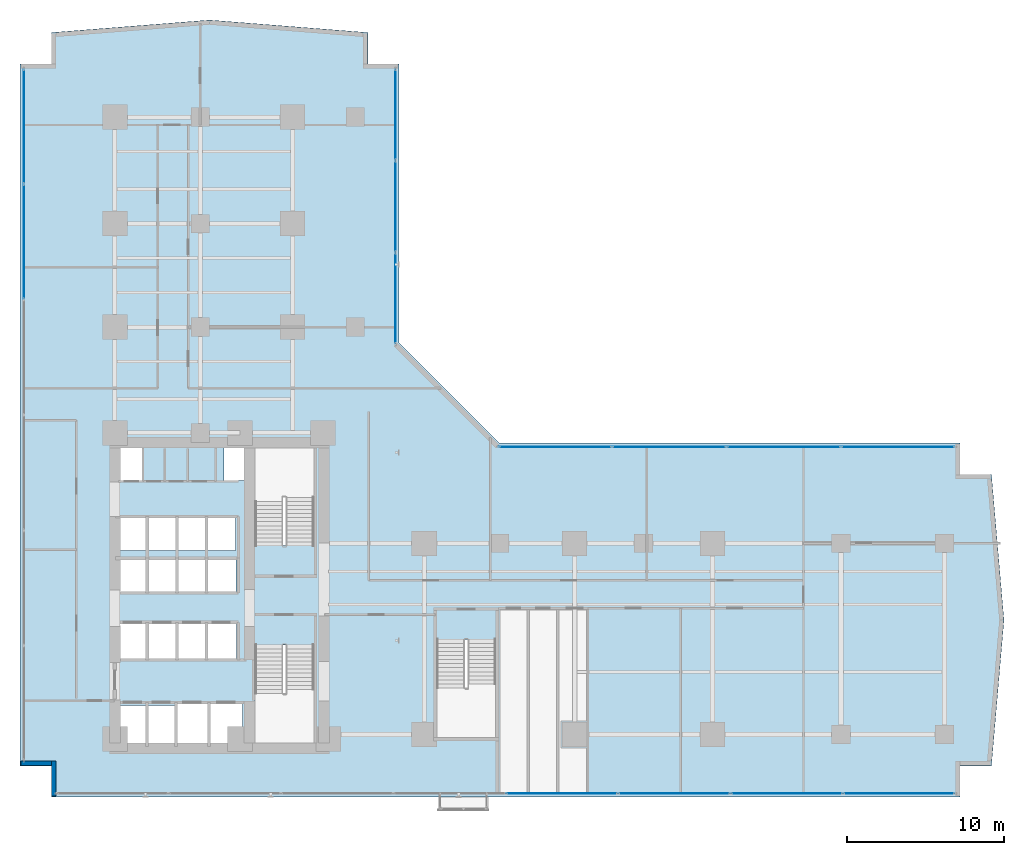
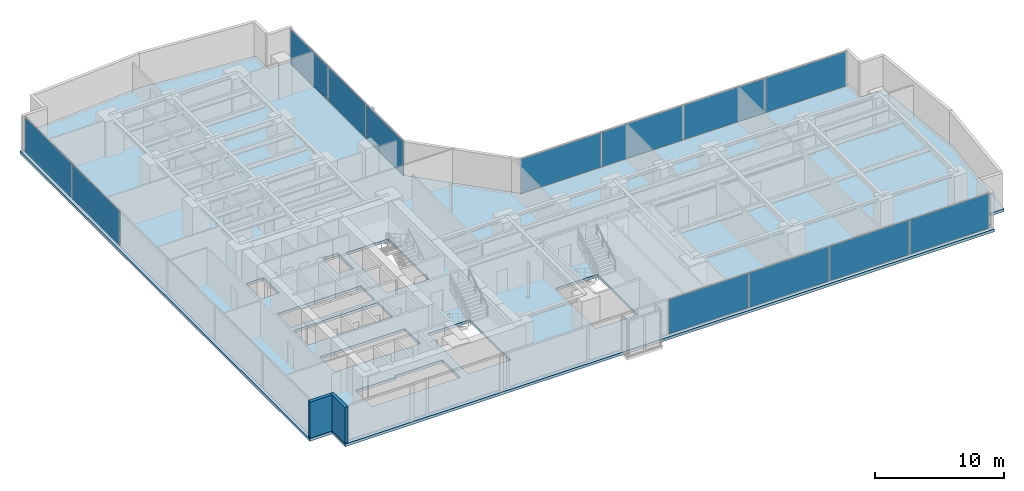
# One storey, part 21 of 28: 13 plates, 2 walls, 1 slab, 4 elements without a shape of their own.
"""IFC4 building model written with IfcOpenShell, lengths in metres."""

from ifc_helpers import new_model, si_unit, direction, frame, frame_2d, origin, origin_with_axes, origin_2d, place, context, subcontext, project, spatial, polyline, rectangle, outline, extrude, source, transform, mapped, material, layer, layer_set, type_object, element, aggregate, save


model = new_model("IFC4")

# Units and contexts
model_context = context("Model", 3, precision=1e-05, world=origin(), true_north=direction((0.0, 1.0)))
body_context = subcontext(model_context, "Body", "Model", "MODEL_VIEW")
ifc_project = project(units=[si_unit("LENGTHUNIT", "METRE"), si_unit("AREAUNIT", "SQUARE_METRE"), si_unit("VOLUMEUNIT", "CUBIC_METRE"), si_unit("PLANEANGLEUNIT", "RADIAN"), si_unit("MASSUNIT", "GRAM", prefix="KILO")], contexts=[model_context])

# Site, building, storey
site_placement = place(None, origin())
site = spatial("IfcSite", under=ifc_project, at=site_placement, CompositionType="ELEMENT")
building_placement = place(site_placement, origin())
building = spatial("IfcBuilding", under=site, at=building_placement, Name="Kolvaren Waterfront Exchange", CompositionType="ELEMENT")
storey_placement = place(building_placement, frame((0.0, 0.0, 79.0)))
storey = spatial("IfcBuildingStorey", under=building, at=storey_placement, Name="L20", CompositionType="ELEMENT", Elevation=79.0)

# Slab
ifc_material_1 = material(Name="Concrete C40/50", Category="concrete")
ifc_layer_1 = layer(ifc_material_1, 0.260009765625, Name="Concrete C40/50")
ifc_layer_set_1 = layer_set([ifc_layer_1], Name="Concrete C40/50")
slab_type = type_object("IfcSlabType", Name="STR-SLAB-260", PredefinedType="FLOOR", material=ifc_layer_set_1)
slab_placement = place(storey_placement, frame((0.0, 0.0, -0.260009765625)))
element("IfcSlab", 1, at=slab_placement, inside=storey, type_object=slab_type, Name="L20 structural floor slab", PredefinedType="FLOOR", context=body_context, shape_type="SweptSolid", body=[
    extrude(outline(polyline([(3.39990234375, 1.199951171875), (61.39990234375, 1.199951171875), (61.39990234375, 3.199951171875), (63.39990234375, 3.199951171875), (64.199951171875, 12.5), (63.39990234375, 21.800048828125), (61.39990234375, 21.800048828125), (61.39990234375, 23.800048828125), (32.0, 23.800048828125), (25.60009765625, 30.199951171875), (25.60009765625, 48.0), (23.60009765625, 48.0), (23.60009765625, 50.0), (13.5, 50.800048828125), (3.39990234375, 50.0), (3.39990234375, 48.0), (1.39990234375, 48.0), (1.39990234375, 3.199951171875), (3.39990234375, 3.199951171875), (3.39990234375, 1.199951171875)]), holes=[polyline([(11.320068359375, 7.260009765625), (15.610107421875, 7.260009765625), (15.610107421875, 4.5400390625), (7.719970703125, 4.5400390625), (7.719970703125, 7.06005859375), (11.320068359375, 7.06005859375), (11.320068359375, 7.260009765625)]), polyline([(20.159912109375, 4.64990234375), (16.39990234375, 4.64990234375), (16.39990234375, 10.89990234375), (20.159912109375, 10.89990234375), (20.159912109375, 4.64990234375)]), polyline([(31.760009765625, 5.0), (28.0, 5.0), (28.0, 11.25), (31.760009765625, 11.25), (31.760009765625, 5.0)]), polyline([(15.2099609375, 10.0400390625), (7.6201171875, 10.0400390625), (7.6201171875, 12.360107421875), (15.2099609375, 12.360107421875), (15.2099609375, 10.0400390625)]), polyline([(7.64501953125, 16.4599609375), (15.18505859375, 16.4599609375), (15.18505859375, 14.239990234375), (7.64501953125, 14.239990234375), (7.64501953125, 16.4599609375)]), polyline([(15.159912109375, 16.93994140625), (7.669921875, 16.93994140625), (7.669921875, 19.06005859375), (15.159912109375, 19.06005859375), (15.159912109375, 16.93994140625)]), polyline([(16.39990234375, 23.5), (20.159912109375, 23.5), (20.159912109375, 17.25), (16.39990234375, 17.25), (16.39990234375, 23.5)]), polyline([(7.60009765625, 23.780029296875), (9.179931640625, 23.780029296875), (9.179931640625, 21.419921875), (7.60009765625, 21.419921875), (7.60009765625, 23.780029296875)]), polyline([(15.800048828125, 23.780029296875), (15.800048828125, 21.419921875), (14.419921875, 21.419921875), (14.419921875, 23.780029296875), (15.800048828125, 23.780029296875)])]), origin(), (0.0, 0.0, 1.0), 0.260009765625),
])

# Curtain wall, plates
ifc_material_2 = material(Name="Anodised bronze aluminium 6063-T6", Category="aluminium")
ifc_layer_2 = layer(ifc_material_2, 0.219970703125, Name="Anodised bronze aluminium 6063-T6")
ifc_layer_set_2 = layer_set([ifc_layer_2], Name="Anodised bronze aluminium 6063-T6")
curtain_wall_type_1 = type_object("IfcCurtainWallType", Name="ARC-CW-SYS1", PredefinedType="USERDEFINED", material=ifc_layer_set_2)
curtain_wall_1_placement = place(storey_placement, origin())
curtain_wall_1 = element("IfcCurtainWall", 2, at=curtain_wall_1_placement, inside=storey, type_object=curtain_wall_type_1, Name="L20 stick curtain wall CW1 (CW-L20-S)", ObjectType="STICK CURTAIN WALL", PredefinedType="USERDEFINED")
ifc_material_3 = material(Name="Bronze solar control vision glass", Category="aluminium")
ifc_layer_3 = layer(ifc_material_3, 0.028076171875, Name="Bronze solar control vision glass")
ifc_layer_set_3 = layer_set([ifc_layer_3], Name="Bronze solar control vision glass")
plate_type_1 = type_object("IfcPlateType", Name="ARC-CWP-28", PredefinedType="CURTAIN_PANEL", material=ifc_layer_set_3)
shared_shape_1 = source(origin_with_axes(), body_context, "Body", "SweptSolid", [
    extrude(rectangle(XDim=7.054931640625, YDim=0.028076171875, at=origin_2d()), origin(), (0.0, 0.0, 1.0), 3.27001953125),
])
plate_1_placement = place(storey_placement, frame((57.492431640625, 1.43994140625, 0.074951171875), z_axis=(0.0, 0.0, 1.0), x_axis=(1.0, 0.0, 0.0)))
plate_1 = element("IfcPlate", 3, at=plate_1_placement, type_object=plate_type_1, Name="CW1 panel 8.1", PredefinedType="CURTAIN_PANEL", context=body_context, shape_type="MappedRepresentation", body=[
    mapped(shared_shape_1, transform((0.0, 0.0, 0.0), x_axis=(1.0, 0.0, 0.0), y_axis=(0.0, 1.0, 0.0), z_axis=(0.0, 0.0, 1.0), scale=1.0)),
])
shared_shape_2 = source(origin_with_axes(), body_context, "Body", "SweptSolid", [
    extrude(rectangle(XDim=7.094970703125, YDim=0.028076171875, at=origin_2d()), origin(), (0.0, 0.0, 1.0), 3.27001953125),
])
plate_2_placement = place(storey_placement, frame((35.987548828125, 1.43994140625, 0.074951171875), z_axis=(0.0, 0.0, 1.0), x_axis=(1.0, 0.0, 0.0)))
plate_2 = element("IfcPlate", 4, at=plate_2_placement, type_object=plate_type_1, Name="CW1 panel 5.1", PredefinedType="CURTAIN_PANEL", context=body_context, shape_type="MappedRepresentation", body=[
    mapped(shared_shape_2, transform((0.0, 0.0, 0.0), x_axis=(1.0, 0.0, 0.0), y_axis=(0.0, 1.0, 0.0), z_axis=(0.0, 0.0, 1.0), scale=1.0)),
])
plate_3_placement = place(storey_placement, frame((43.16259765625, 1.43994140625, 0.074951171875), z_axis=(0.0, 0.0, 1.0), x_axis=(1.0, 0.0, 0.0)))
plate_3 = element("IfcPlate", 5, at=plate_3_placement, type_object=plate_type_1, Name="CW1 panel 6.1", PredefinedType="CURTAIN_PANEL", context=body_context, shape_type="MappedRepresentation", body=[
    mapped(shared_shape_2, transform((0.0, 0.0, 0.0), x_axis=(1.0, 0.0, 0.0), y_axis=(0.0, 1.0, 0.0), z_axis=(0.0, 0.0, 1.0), scale=1.0)),
])
plate_4_placement = place(storey_placement, frame((50.33740234375, 1.43994140625, 0.074951171875), z_axis=(0.0, 0.0, 1.0), x_axis=(1.0, 0.0, 0.0)))
plate_4 = element("IfcPlate", 6, at=plate_4_placement, type_object=plate_type_1, Name="CW1 panel 7.1", PredefinedType="CURTAIN_PANEL", context=body_context, shape_type="MappedRepresentation", body=[
    mapped(shared_shape_2, transform((0.0, 0.0, 0.0), x_axis=(1.0, 0.0, 0.0), y_axis=(0.0, 1.0, 0.0), z_axis=(0.0, 0.0, 1.0), scale=1.0)),
])
aggregate(curtain_wall_1, [plate_2, plate_3, plate_4, plate_1])

ifc_material_4 = material(Name="Anodised aluminium 6063-T6", Category="aluminium")
ifc_layer_4 = layer(ifc_material_4, 0.219970703125, Name="Anodised aluminium 6063-T6")
ifc_layer_set_4 = layer_set([ifc_layer_4], Name="Anodised aluminium 6063-T6")
curtain_wall_type_2 = type_object("IfcCurtainWallType", Name="ARC-CW-SYS2", PredefinedType="USERDEFINED", material=ifc_layer_set_4)
curtain_wall_2_placement = place(storey_placement, origin())
curtain_wall_2 = element("IfcCurtainWall", 7, at=curtain_wall_2_placement, inside=storey, type_object=curtain_wall_type_2, Name="L20 stick curtain wall CW2 (CW-L20-W)", ObjectType="STICK CURTAIN WALL", PredefinedType="USERDEFINED")
ifc_material_5 = material(Name="Acoustic laminated vision glass", Category="glass")
ifc_layer_5 = layer(ifc_material_5, 0.031982421875, Name="Acoustic laminated vision glass")
ifc_layer_set_5 = layer_set([ifc_layer_5], Name="Acoustic laminated vision glass")
plate_type_2 = type_object("IfcPlateType", Name="ARC-CWP-32", PredefinedType="CURTAIN_PANEL", material=ifc_layer_set_5)
shared_shape_3 = source(origin_with_axes(), body_context, "Body", "SweptSolid", [
    extrude(rectangle(XDim=7.24658203125, YDim=0.031982421875, at=origin_2d()), origin(), (0.0, 0.0, 1.0), 3.27001953125),
])
plate_5_placement = place(storey_placement, frame((1.639892578125, 43.99658203125, 0.074951171875), z_axis=(0.0, 0.0, 1.0), x_axis=(0.0, 1.0, 0.0)))
plate_5 = element("IfcPlate", 8, at=plate_5_placement, type_object=plate_type_2, Name="CW2 panel 6.1", PredefinedType="CURTAIN_PANEL", context=body_context, shape_type="MappedRepresentation", body=[
    mapped(shared_shape_3, transform((0.0, 0.0, 0.0), x_axis=(1.0, 0.0, 0.0), y_axis=(0.0, 1.0, 0.0), z_axis=(0.0, 0.0, 1.0), scale=1.0)),
])
shared_shape_4 = source(origin_with_axes(), body_context, "Body", "SweptSolid", [
    extrude(rectangle(XDim=7.28662109375, YDim=0.031982421875, at=origin_2d()), origin(), (0.0, 0.0, 1.0), 3.27001953125),
])
plate_6_placement = place(storey_placement, frame((1.639892578125, 36.64990234375, 0.074951171875), z_axis=(0.0, 0.0, 1.0), x_axis=(0.0, 1.0, 0.0)))
plate_6 = element("IfcPlate", 9, at=plate_6_placement, type_object=plate_type_2, Name="CW2 panel 5.1", PredefinedType="CURTAIN_PANEL", context=body_context, shape_type="MappedRepresentation", body=[
    mapped(shared_shape_4, transform((0.0, 0.0, 0.0), x_axis=(1.0, 0.0, 0.0), y_axis=(0.0, 1.0, 0.0), z_axis=(0.0, 0.0, 1.0), scale=1.0)),
])
aggregate(curtain_wall_2, [plate_6, plate_5])

curtain_wall_3_placement = place(storey_placement, origin())
curtain_wall_3 = element("IfcCurtainWall", 10, at=curtain_wall_3_placement, inside=storey, type_object=curtain_wall_type_1, Name="L20 stick curtain wall CW1 (CW-L20-NE)", ObjectType="STICK CURTAIN WALL", PredefinedType="USERDEFINED")
shared_shape_5 = source(origin_with_axes(), body_context, "Body", "SweptSolid", [
    extrude(rectangle(XDim=5.75, YDim=0.028076171875, at=origin_2d()), origin(), (0.0, 0.0, 1.0), 3.27001953125),
])
plate_7_placement = place(storey_placement, frame((25.360107421875, 33.044921875, 0.074951171875), z_axis=(0.0, 0.0, 1.0), x_axis=(0.0, 1.0, 0.0)))
plate_7 = element("IfcPlate", 11, at=plate_7_placement, type_object=plate_type_1, Name="CW1 panel 1.1", PredefinedType="CURTAIN_PANEL", context=body_context, shape_type="MappedRepresentation", body=[
    mapped(shared_shape_5, transform((0.0, 0.0, 0.0), x_axis=(1.0, 0.0, 0.0), y_axis=(0.0, 1.0, 0.0), z_axis=(0.0, 0.0, 1.0), scale=1.0)),
])
plate_8_placement = place(storey_placement, frame((25.360107421875, 44.7451171875, 0.074951171875), z_axis=(0.0, 0.0, 1.0), x_axis=(0.0, 1.0, 0.0)))
plate_8 = element("IfcPlate", 12, at=plate_8_placement, type_object=plate_type_1, Name="CW1 panel 3.1", PredefinedType="CURTAIN_PANEL", context=body_context, shape_type="MappedRepresentation", body=[
    mapped(shared_shape_5, transform((0.0, 0.0, 0.0), x_axis=(1.0, 0.0, 0.0), y_axis=(0.0, 1.0, 0.0), z_axis=(0.0, 0.0, 1.0), scale=1.0)),
])
shared_shape_6 = source(origin_with_axes(), body_context, "Body", "SweptSolid", [
    extrude(rectangle(XDim=5.7900390625, YDim=0.028076171875, at=origin_2d()), origin(), (0.0, 0.0, 1.0), 3.27001953125),
])
plate_9_placement = place(storey_placement, frame((25.360107421875, 38.89501953125, 0.074951171875), z_axis=(0.0, 0.0, 1.0), x_axis=(0.0, 1.0, 0.0)))
plate_9 = element("IfcPlate", 13, at=plate_9_placement, type_object=plate_type_1, Name="CW1 panel 2.1", PredefinedType="CURTAIN_PANEL", context=body_context, shape_type="MappedRepresentation", body=[
    mapped(shared_shape_6, transform((0.0, 0.0, 0.0), x_axis=(1.0, 0.0, 0.0), y_axis=(0.0, 1.0, 0.0), z_axis=(0.0, 0.0, 1.0), scale=1.0)),
])
aggregate(curtain_wall_3, [plate_7, plate_9, plate_8])

curtain_wall_4_placement = place(storey_placement, origin())
curtain_wall_4 = element("IfcCurtainWall", 14, at=curtain_wall_4_placement, inside=storey, type_object=curtain_wall_type_1, Name="L20 stick curtain wall CW1 (CW-L20-EN)", ObjectType="STICK CURTAIN WALL", PredefinedType="USERDEFINED")
shared_shape_7 = source(origin_with_axes(), body_context, "Body", "SweptSolid", [
    extrude(rectangle(XDim=7.1826171875, YDim=0.028076171875, at=origin_2d()), origin(), (0.0, 0.0, 1.0), 3.27001953125),
])
plate_10_placement = place(storey_placement, frame((35.561279296875, 23.56005859375, 0.074951171875), z_axis=(0.0, 0.0, 1.0), x_axis=(1.0, 0.0, 0.0)))
plate_10 = element("IfcPlate", 15, at=plate_10_placement, type_object=plate_type_1, Name="CW1 panel 1.1", PredefinedType="CURTAIN_PANEL", context=body_context, shape_type="MappedRepresentation", body=[
    mapped(shared_shape_7, transform((0.0, 0.0, 0.0), x_axis=(1.0, 0.0, 0.0), y_axis=(0.0, 1.0, 0.0), z_axis=(0.0, 0.0, 1.0), scale=1.0)),
])
plate_11_placement = place(storey_placement, frame((57.4287109375, 23.56005859375, 0.074951171875), z_axis=(0.0, 0.0, 1.0), x_axis=(1.0, 0.0, 0.0)))
plate_11 = element("IfcPlate", 16, at=plate_11_placement, type_object=plate_type_1, Name="CW1 panel 4.1", PredefinedType="CURTAIN_PANEL", context=body_context, shape_type="MappedRepresentation", body=[
    mapped(shared_shape_7, transform((0.0, 0.0, 0.0), x_axis=(1.0, 0.0, 0.0), y_axis=(0.0, 1.0, 0.0), z_axis=(0.0, 0.0, 1.0), scale=1.0)),
])
shared_shape_8 = source(origin_with_axes(), body_context, "Body", "SweptSolid", [
    extrude(rectangle(XDim=7.222412109375, YDim=0.028076171875, at=origin_2d()), origin(), (0.0, 0.0, 1.0), 3.27001953125),
])
plate_12_placement = place(storey_placement, frame((42.84375, 23.56005859375, 0.074951171875), z_axis=(0.0, 0.0, 1.0), x_axis=(1.0, 0.0, 0.0)))
plate_12 = element("IfcPlate", 17, at=plate_12_placement, type_object=plate_type_1, Name="CW1 panel 2.1", PredefinedType="CURTAIN_PANEL", context=body_context, shape_type="MappedRepresentation", body=[
    mapped(shared_shape_8, transform((0.0, 0.0, 0.0), x_axis=(1.0, 0.0, 0.0), y_axis=(0.0, 1.0, 0.0), z_axis=(0.0, 0.0, 1.0), scale=1.0)),
])
plate_13_placement = place(storey_placement, frame((50.146240234375, 23.56005859375, 0.074951171875), z_axis=(0.0, 0.0, 1.0), x_axis=(1.0, 0.0, 0.0)))
plate_13 = element("IfcPlate", 18, at=plate_13_placement, type_object=plate_type_1, Name="CW1 panel 3.1", PredefinedType="CURTAIN_PANEL", context=body_context, shape_type="MappedRepresentation", body=[
    mapped(shared_shape_8, transform((0.0, 0.0, 0.0), x_axis=(1.0, 0.0, 0.0), y_axis=(0.0, 1.0, 0.0), z_axis=(0.0, 0.0, 1.0), scale=1.0)),
])
aggregate(curtain_wall_4, [plate_10, plate_12, plate_13, plate_11])

# Walls
ifc_material_6 = material(Name="Precast concrete C40/50", Category="concrete")
ifc_layer_6 = layer(ifc_material_6, 0.280029296875, Name="Precast concrete C40/50")
ifc_layer_set_6 = layer_set([ifc_layer_6], Name="Precast concrete C40/50")
wall_type = type_object("IfcWallType", Name="ARC-EXT-TERR-280", PredefinedType="SOLIDWALL", material=ifc_layer_set_6)
wall_1_placement = place(storey_placement, frame((3.56005859375, 1.260009765625, 0.0), z_axis=(0.0, 0.0, 1.0), x_axis=(0.0, 1.0, 0.0)))
element("IfcWall", 19, at=wall_1_placement, inside=storey, type_object=wall_type, Name="L20 notched corner spandrel pier SW-A", PredefinedType="SOLIDWALL", context=body_context, shape_type="SweptSolid", body=[
    extrude(rectangle(XDim=2.239990234375, YDim=0.280029296875, at=frame_2d((1.1201171875, 0.0))), origin(), (0.0, 0.0, 1.0), 3.419921875),
])
wall_2_placement = place(storey_placement, frame((1.4599609375, 3.360107421875, 0.0), z_axis=(0.0, 0.0, 1.0), x_axis=(1.0, 0.0, 0.0)))
element("IfcWall", 20, at=wall_2_placement, inside=storey, type_object=wall_type, Name="L20 notched corner spandrel pier SW-B", PredefinedType="SOLIDWALL", context=body_context, shape_type="SweptSolid", body=[
    extrude(rectangle(XDim=1.9599609375, YDim=0.280029296875, at=frame_2d((0.97998046875, 0.0))), origin(), (0.0, 0.0, 1.0), 3.419921875),
])

save(model, "model.ifc")
